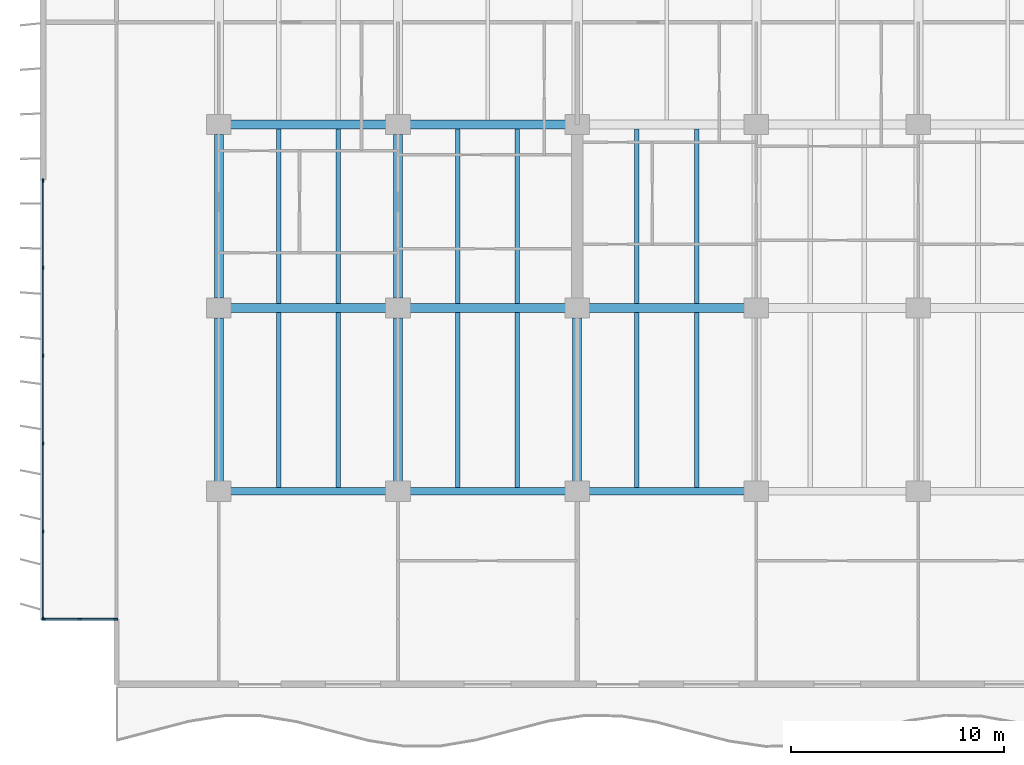
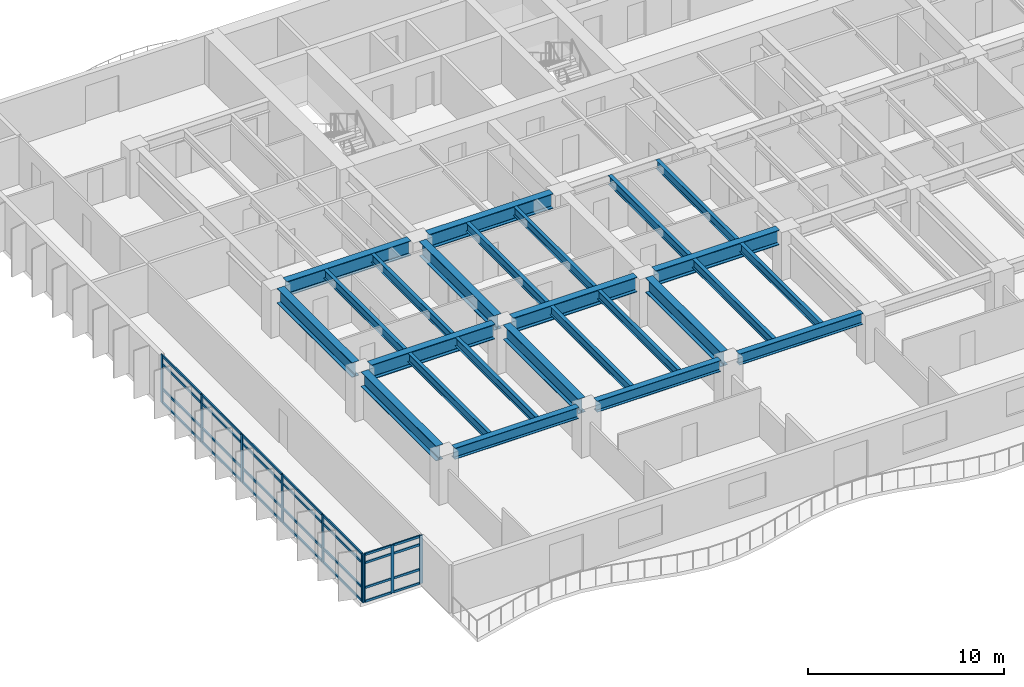
# One storey, part 2 of 15: 37 members, 25 beams, 2 elements without a shape of their own.
"""IFC4 building model written with IfcOpenShell, lengths in metres."""

from ifc_helpers import new_model, si_unit, direction, frame, origin, origin_2d, place, context, subcontext, project, spatial, rectangle, i_section, extrude, material, layer, layer_set, material_profile, profile_set, type_object, element, aggregate, save


model = new_model("IFC4")

# Units and contexts
model_context = context("Model", 3, precision=1e-05, world=origin(), true_north=direction((0.0, 1.0)))
body_context = subcontext(model_context, "Body", "Model", "MODEL_VIEW")
ifc_project = project(units=[si_unit("LENGTHUNIT", "METRE"), si_unit("AREAUNIT", "SQUARE_METRE"), si_unit("VOLUMEUNIT", "CUBIC_METRE"), si_unit("PLANEANGLEUNIT", "RADIAN"), si_unit("MASSUNIT", "GRAM", prefix="KILO")], contexts=[model_context])

# Site, building, storey
site_placement = place(None, origin())
site = spatial("IfcSite", under=ifc_project, at=site_placement, CompositionType="ELEMENT")
building_placement = place(site_placement, origin())
building = spatial("IfcBuilding", under=site, at=building_placement, Name="Caelmar Bay Residences", CompositionType="ELEMENT")
storey_placement = place(building_placement, frame((0.0, 0.0, 76.199951171875)))
storey = spatial("IfcBuildingStorey", under=building, at=storey_placement, Name="L20", CompositionType="ELEMENT", Elevation=76.199951171875)

# Beams
ifc_material_1 = material(Name="Steel ASTM A992 Grade 50", Category="steel")
ifc_material_profile_1 = material_profile(ifc_material_1, i_section(OverallWidth=0.422119140625, OverallDepth=0.925048828125, WebThickness=0.021240234375, FlangeThickness=0.03662109375, FilletRadius=0.020263671875, at=origin_2d()), Name="W36X262")
ifc_profile_set_1 = profile_set([ifc_material_profile_1], Name="Steel ASTM A992 Grade 50")
beam_type_1 = type_object("IfcBeamType", Name="BM-GRD-W36X262", PredefinedType="BEAM", material=ifc_profile_set_1)
beam_1_placement = place(storey_placement, frame((10.43994140625, 20.800048828125, 2.53759765625), z_axis=(1.0, 0.0, 0.0), x_axis=(0.0, 1.0, 0.0)))
element("IfcBeam", 1, at=beam_1_placement, inside=storey, type_object=beam_type_1, Name="L20 East-West Girder Y=20.80 (9.9-18.3)", PredefinedType="BEAM", context=body_context, shape_type="SweptSolid", body=[
    extrude(i_section(OverallWidth=0.422119140625, OverallDepth=0.925048828125, WebThickness=0.021240234375, FlangeThickness=0.03662109375, FilletRadius=0.020263671875, at=origin_2d()), origin(), (0.0, 0.0, 1.0), 7.320068359375),
])
beam_2_placement = place(storey_placement, frame((18.840087890625, 20.800048828125, 2.53759765625), z_axis=(1.0, 0.0, 0.0), x_axis=(0.0, 1.0, 0.0)))
element("IfcBeam", 2, at=beam_2_placement, inside=storey, type_object=beam_type_1, Name="L20 East-West Girder Y=20.80 (18.3-26.7)", PredefinedType="BEAM", context=body_context, shape_type="SweptSolid", body=[
    extrude(i_section(OverallWidth=0.422119140625, OverallDepth=0.925048828125, WebThickness=0.021240234375, FlangeThickness=0.03662109375, FilletRadius=0.020263671875, at=origin_2d()), origin(), (0.0, 0.0, 1.0), 7.31982421875),
])
for number, where, z_axis, x_axis, name in (
    (3, (27.239990234375, 20.800048828125, 2.53759765625), (1.0, 0.0, 0.0), (0.0, 1.0, 0.0), "L20 East-West Girder Y=20.80 (26.7-35.1)"),
    (4, (10.43994140625, 29.39990234375, 2.53759765625), (1.0, 0.0, 0.0), (0.0, 1.0, 0.0), "L20 East-West Girder Y=29.40 (9.9-18.3)"),
):
    element("IfcBeam", number, at=place(storey_placement, frame(where, z_axis=z_axis, x_axis=x_axis)), inside=storey, type_object=beam_type_1, Name=name, PredefinedType="BEAM", context=body_context, shape_type="SweptSolid", body=[
        extrude(i_section(OverallWidth=0.422119140625, OverallDepth=0.925048828125, WebThickness=0.021240234375, FlangeThickness=0.03662109375, FilletRadius=0.020263671875, at=origin_2d()), origin(), (0.0, 0.0, 1.0), 7.320068359375),
    ])
beam_3_placement = place(storey_placement, frame((18.840087890625, 29.39990234375, 2.53759765625), z_axis=(1.0, 0.0, 0.0), x_axis=(0.0, 1.0, 0.0)))
element("IfcBeam", 5, at=beam_3_placement, inside=storey, type_object=beam_type_1, Name="L20 East-West Girder Y=29.40 (18.3-26.7)", PredefinedType="BEAM", context=body_context, shape_type="SweptSolid", body=[
    extrude(i_section(OverallWidth=0.422119140625, OverallDepth=0.925048828125, WebThickness=0.021240234375, FlangeThickness=0.03662109375, FilletRadius=0.020263671875, at=origin_2d()), origin(), (0.0, 0.0, 1.0), 7.31982421875),
])
beam_4_placement = place(storey_placement, frame((9.89990234375, 12.6650390625, 2.53759765625), z_axis=(0.0, 1.0, 0.0), x_axis=(-1.0, 0.0, 0.0)))
element("IfcBeam", 6, at=beam_4_placement, inside=storey, type_object=beam_type_1, Name="L20 North-South Girder X=9.90 (12.2-20.8)", PredefinedType="BEAM", context=body_context, shape_type="SweptSolid", body=[
    extrude(i_section(OverallWidth=0.422119140625, OverallDepth=0.925048828125, WebThickness=0.021240234375, FlangeThickness=0.03662109375, FilletRadius=0.020263671875, at=origin_2d()), origin(), (0.0, 0.0, 1.0), 7.669921875),
])
beam_5_placement = place(storey_placement, frame((9.89990234375, 21.264892578125, 2.53759765625), z_axis=(0.0, 1.0, 0.0), x_axis=(-1.0, 0.0, 0.0)))
element("IfcBeam", 7, at=beam_5_placement, inside=storey, type_object=beam_type_1, Name="L20 North-South Girder X=9.90 (20.8-29.4)", PredefinedType="BEAM", context=body_context, shape_type="SweptSolid", body=[
    extrude(i_section(OverallWidth=0.422119140625, OverallDepth=0.925048828125, WebThickness=0.021240234375, FlangeThickness=0.03662109375, FilletRadius=0.020263671875, at=origin_2d()), origin(), (0.0, 0.0, 1.0), 7.670166015625),
])
beam_6_placement = place(storey_placement, frame((18.300048828125, 12.6650390625, 2.53759765625), z_axis=(0.0, 1.0, 0.0), x_axis=(-1.0, 0.0, 0.0)))
element("IfcBeam", 8, at=beam_6_placement, inside=storey, type_object=beam_type_1, Name="L20 North-South Girder X=18.30 (12.2-20.8)", PredefinedType="BEAM", context=body_context, shape_type="SweptSolid", body=[
    extrude(i_section(OverallWidth=0.422119140625, OverallDepth=0.925048828125, WebThickness=0.021240234375, FlangeThickness=0.03662109375, FilletRadius=0.020263671875, at=origin_2d()), origin(), (0.0, 0.0, 1.0), 7.669921875),
])
beam_7_placement = place(storey_placement, frame((18.300048828125, 21.264892578125, 2.53759765625), z_axis=(0.0, 1.0, 0.0), x_axis=(-1.0, 0.0, 0.0)))
element("IfcBeam", 9, at=beam_7_placement, inside=storey, type_object=beam_type_1, Name="L20 North-South Girder X=18.30 (20.8-29.4)", PredefinedType="BEAM", context=body_context, shape_type="SweptSolid", body=[
    extrude(i_section(OverallWidth=0.422119140625, OverallDepth=0.925048828125, WebThickness=0.021240234375, FlangeThickness=0.03662109375, FilletRadius=0.020263671875, at=origin_2d()), origin(), (0.0, 0.0, 1.0), 7.670166015625),
])
beam_8_placement = place(storey_placement, frame((26.699951171875, 12.6650390625, 2.53759765625), z_axis=(0.0, 1.0, 0.0), x_axis=(-1.0, 0.0, 0.0)))
element("IfcBeam", 10, at=beam_8_placement, inside=storey, type_object=beam_type_1, Name="L20 North-South Girder X=26.70 (12.2-20.8)", PredefinedType="BEAM", context=body_context, shape_type="SweptSolid", body=[
    extrude(i_section(OverallWidth=0.422119140625, OverallDepth=0.925048828125, WebThickness=0.021240234375, FlangeThickness=0.03662109375, FilletRadius=0.020263671875, at=origin_2d()), origin(), (0.0, 0.0, 1.0), 7.669921875),
])
ifc_material_profile_2 = material_profile(ifc_material_1, i_section(OverallWidth=0.2099609375, OverallDepth=0.535888671875, WebThickness=0.010986328125, FlangeThickness=0.017333984375, FilletRadius=0.0126953125, at=origin_2d()), Name="W21X68")
ifc_profile_set_2 = profile_set([ifc_material_profile_2], Name="Steel ASTM A992 Grade 50")
beam_type_2 = type_object("IfcBeamType", Name="BM-JST-W21X68", PredefinedType="JOIST", material=ifc_profile_set_2)
for number, where, z_axis, x_axis, name in (
    (11, (15.5, 12.3779296875, 2.73193359375), (0.0, 1.0, 0.0), (-1.0, 0.0, 0.0), "L20 Composite Floor Joist 2"),
    (12, (23.89990234375, 12.3779296875, 2.73193359375), (0.0, 1.0, 0.0), (-1.0, 0.0, 0.0), "L20 Composite Floor Joist 4"),
    (13, (32.300048828125, 12.3779296875, 2.73193359375), (0.0, 1.0, 0.0), (-1.0, 0.0, 0.0), "L20 Composite Floor Joist 6"),
):
    element("IfcBeam", number, at=place(storey_placement, frame(where, z_axis=z_axis, x_axis=x_axis)), inside=storey, type_object=beam_type_2, Name=name, PredefinedType="JOIST", context=body_context, shape_type="SweptSolid", body=[
        extrude(i_section(OverallWidth=0.2099609375, OverallDepth=0.535888671875, WebThickness=0.010986328125, FlangeThickness=0.017333984375, FilletRadius=0.0126953125, at=origin_2d()), origin(), (0.0, 0.0, 1.0), 8.211181640625),
    ])
for number, where, z_axis, x_axis, name in (
    (14, (15.5, 21.010986328125, 2.73193359375), (0.0, 1.0, 0.0), (-1.0, 0.0, 0.0), "L20 Composite Floor Joist 16"),
    (15, (23.89990234375, 21.010986328125, 2.73193359375), (0.0, 1.0, 0.0), (-1.0, 0.0, 0.0), "L20 Composite Floor Joist 18"),
    (16, (32.300048828125, 21.010986328125, 2.73193359375), (0.0, 1.0, 0.0), (-1.0, 0.0, 0.0), "L20 Composite Floor Joist 20"),
):
    element("IfcBeam", number, at=place(storey_placement, frame(where, z_axis=z_axis, x_axis=x_axis)), inside=storey, type_object=beam_type_2, Name=name, PredefinedType="JOIST", context=body_context, shape_type="SweptSolid", body=[
        extrude(i_section(OverallWidth=0.2099609375, OverallDepth=0.535888671875, WebThickness=0.010986328125, FlangeThickness=0.017333984375, FilletRadius=0.0126953125, at=origin_2d()), origin(), (0.0, 0.0, 1.0), 8.177978515625),
    ])
ifc_material_profile_3 = material_profile(ifc_material_1, i_section(OverallWidth=0.214111328125, OverallDepth=0.549072265625, WebThickness=0.0146484375, FlangeThickness=0.023681640625, FilletRadius=0.0126953125, at=origin_2d()), Name="W21X93")
ifc_profile_set_3 = profile_set([ifc_material_profile_3], Name="Steel ASTM A992 Grade 50")
beam_type_3 = type_object("IfcBeamType", Name="BM-JST-W21X93", PredefinedType="JOIST", material=ifc_profile_set_3)
for number, where, z_axis, x_axis, name in (
    (17, (12.699951171875, 12.3779296875, 2.7255859375), (0.0, 1.0, 0.0), (-1.0, 0.0, 0.0), "L20 Composite Floor Joist 1"),
    (18, (21.10009765625, 12.3779296875, 2.7255859375), (0.0, 1.0, 0.0), (-1.0, 0.0, 0.0), "L20 Composite Floor Joist 3"),
    (19, (29.5, 12.3779296875, 2.7255859375), (0.0, 1.0, 0.0), (-1.0, 0.0, 0.0), "L20 Composite Floor Joist 5"),
):
    element("IfcBeam", number, at=place(storey_placement, frame(where, z_axis=z_axis, x_axis=x_axis)), inside=storey, type_object=beam_type_3, Name=name, PredefinedType="JOIST", context=body_context, shape_type="SweptSolid", body=[
        extrude(i_section(OverallWidth=0.214111328125, OverallDepth=0.549072265625, WebThickness=0.0146484375, FlangeThickness=0.023681640625, FilletRadius=0.0126953125, at=origin_2d()), origin(), (0.0, 0.0, 1.0), 8.211181640625),
    ])
for number, where, z_axis, x_axis, name in (
    (20, (12.699951171875, 21.010986328125, 2.7255859375), (0.0, 1.0, 0.0), (-1.0, 0.0, 0.0), "L20 Composite Floor Joist 15"),
    (21, (21.10009765625, 21.010986328125, 2.7255859375), (0.0, 1.0, 0.0), (-1.0, 0.0, 0.0), "L20 Composite Floor Joist 17"),
    (22, (29.5, 21.010986328125, 2.7255859375), (0.0, 1.0, 0.0), (-1.0, 0.0, 0.0), "L20 Composite Floor Joist 19"),
):
    element("IfcBeam", number, at=place(storey_placement, frame(where, z_axis=z_axis, x_axis=x_axis)), inside=storey, type_object=beam_type_3, Name=name, PredefinedType="JOIST", context=body_context, shape_type="SweptSolid", body=[
        extrude(i_section(OverallWidth=0.214111328125, OverallDepth=0.549072265625, WebThickness=0.0146484375, FlangeThickness=0.023681640625, FilletRadius=0.0126953125, at=origin_2d()), origin(), (0.0, 0.0, 1.0), 8.177978515625),
    ])
ifc_material_profile_4 = material_profile(ifc_material_1, i_section(OverallWidth=0.35595703125, OverallDepth=0.696044921875, WebThickness=0.015380859375, FlangeThickness=0.02490234375, FilletRadius=0.01513671875, at=origin_2d()), Name="W27X146")
ifc_profile_set_4 = profile_set([ifc_material_profile_4], Name="Steel ASTM A992 Grade 50")
beam_type_4 = type_object("IfcBeamType", Name="BM-SPN-W27X146", PredefinedType="SPANDREL", material=ifc_profile_set_4)
beam_9_placement = place(storey_placement, frame((10.43994140625, 12.199951171875, 2.652099609375), z_axis=(1.0, 0.0, 0.0), x_axis=(0.0, 1.0, 0.0)))
element("IfcBeam", 23, at=beam_9_placement, inside=storey, type_object=beam_type_4, Name="L20 East-West Girder Y=12.20 (9.9-18.3)", PredefinedType="SPANDREL", context=body_context, shape_type="SweptSolid", body=[
    extrude(i_section(OverallWidth=0.35595703125, OverallDepth=0.696044921875, WebThickness=0.015380859375, FlangeThickness=0.02490234375, FilletRadius=0.01513671875, at=origin_2d()), origin(), (0.0, 0.0, 1.0), 7.320068359375),
])
beam_10_placement = place(storey_placement, frame((18.840087890625, 12.199951171875, 2.652099609375), z_axis=(1.0, 0.0, 0.0), x_axis=(0.0, 1.0, 0.0)))
element("IfcBeam", 24, at=beam_10_placement, inside=storey, type_object=beam_type_4, Name="L20 East-West Girder Y=12.20 (18.3-26.7)", PredefinedType="SPANDREL", context=body_context, shape_type="SweptSolid", body=[
    extrude(i_section(OverallWidth=0.35595703125, OverallDepth=0.696044921875, WebThickness=0.015380859375, FlangeThickness=0.02490234375, FilletRadius=0.01513671875, at=origin_2d()), origin(), (0.0, 0.0, 1.0), 7.31982421875),
])
beam_11_placement = place(storey_placement, frame((27.239990234375, 12.199951171875, 2.652099609375), z_axis=(1.0, 0.0, 0.0), x_axis=(0.0, 1.0, 0.0)))
element("IfcBeam", 25, at=beam_11_placement, inside=storey, type_object=beam_type_4, Name="L20 East-West Girder Y=12.20 (26.7-35.1)", PredefinedType="SPANDREL", context=body_context, shape_type="SweptSolid", body=[
    extrude(i_section(OverallWidth=0.35595703125, OverallDepth=0.696044921875, WebThickness=0.015380859375, FlangeThickness=0.02490234375, FilletRadius=0.01513671875, at=origin_2d()), origin(), (0.0, 0.0, 1.0), 7.320068359375),
])

# Curtain wall, members
ifc_material_2 = material(Name="Anodised bronze aluminium 6063-T6 and laminated glass", Category="aluminium")
ifc_layer_1 = layer(ifc_material_2, 0.179931640625)
ifc_layer_set_1 = layer_set([ifc_layer_1], Name="Anodised bronze aluminium 6063-T6 and laminated glass")
curtain_wall_type_1 = type_object("IfcCurtainWallType", Name="CW6-NTC", PredefinedType="NOTDEFINED", material=ifc_layer_set_1)
curtain_wall_1_placement = place(storey_placement, origin())
curtain_wall_1 = element("IfcCurtainWall", 26, at=curtain_wall_1_placement, inside=storey, type_object=curtain_wall_type_1, Name="CW6 curtain wall L20", PredefinedType="NOTDEFINED")
ifc_material_3 = material(Name="Anodised bronze aluminium 6063-T6", Category="aluminium")
ifc_material_profile_5 = material_profile(ifc_material_3, rectangle(XDim=0.080078125, YDim=0.179931640625, at=origin_2d()), Name="CWM-80X180")
ifc_profile_set_5 = profile_set([ifc_material_profile_5], Name="Anodised bronze aluminium 6063-T6")
member_type_1 = type_object("IfcMemberType", Name="CWM-180", PredefinedType="MULLION", material=ifc_profile_set_5)
member_1_placement = place(storey_placement, frame((1.68994140625, 6.199951171875, 0.0), z_axis=(0.0, 0.0, 1.0), x_axis=(0.0, 1.0, 0.0)))
member_1 = element("IfcMember", 27, at=member_1_placement, type_object=member_type_1, Name="CW6 mullion 1", PredefinedType="MULLION", context=body_context, shape_type="SweptSolid", body=[
    extrude(rectangle(XDim=0.080078125, YDim=0.179931640625, at=origin_2d()), origin(), (0.0, 0.0, 1.0), 3.0),
])
member_2_placement = place(storey_placement, frame((3.375, 6.199951171875, 0.0), z_axis=(0.0, 0.0, 1.0), x_axis=(0.0, 1.0, 0.0)))
member_2 = element("IfcMember", 28, at=member_2_placement, type_object=member_type_1, Name="CW6 mullion 2", PredefinedType="MULLION", context=body_context, shape_type="SweptSolid", body=[
    extrude(rectangle(XDim=0.080078125, YDim=0.179931640625, at=origin_2d()), origin(), (0.0, 0.0, 1.0), 3.0),
])
member_3_placement = place(storey_placement, frame((5.06005859375, 6.199951171875, 0.0), z_axis=(0.0, 0.0, 1.0), x_axis=(0.0, 1.0, 0.0)))
member_3 = element("IfcMember", 29, at=member_3_placement, type_object=member_type_1, Name="CW6 mullion 3", PredefinedType="MULLION", context=body_context, shape_type="SweptSolid", body=[
    extrude(rectangle(XDim=0.080078125, YDim=0.179931640625, at=origin_2d()), origin(), (0.0, 0.0, 1.0), 3.0),
])

ifc_layer_2 = layer(ifc_material_2, 0.179931640625)
ifc_layer_set_2 = layer_set([ifc_layer_2], Name="Anodised bronze aluminium 6063-T6 and laminated glass")
curtain_wall_type_2 = type_object("IfcCurtainWallType", Name="CW2-Z1", PredefinedType="NOTDEFINED", material=ifc_layer_set_2)
curtain_wall_2_placement = place(storey_placement, origin())
curtain_wall_2 = element("IfcCurtainWall", 30, at=curtain_wall_2_placement, inside=storey, type_object=curtain_wall_type_2, Name="CW2 curtain wall L20", PredefinedType="NOTDEFINED")
member_4_placement = place(storey_placement, frame((1.64990234375, 6.239990234375, 0.0), z_axis=(0.0, 0.0, 1.0), x_axis=(-1.0, 0.0, 0.0)))
member_4 = element("IfcMember", 31, at=member_4_placement, type_object=member_type_1, Name="CW2 mullion 1", PredefinedType="MULLION", context=body_context, shape_type="SweptSolid", body=[
    extrude(rectangle(XDim=0.080078125, YDim=0.179931640625, at=origin_2d()), origin(), (0.0, 0.0, 1.0), 3.0),
])
member_5_placement = place(storey_placement, frame((1.64990234375, 10.320068359375, 0.0), z_axis=(0.0, 0.0, 1.0), x_axis=(-1.0, 0.0, 0.0)))
member_5 = element("IfcMember", 32, at=member_5_placement, type_object=member_type_1, Name="CW2 mullion 2", PredefinedType="MULLION", context=body_context, shape_type="SweptSolid", body=[
    extrude(rectangle(XDim=0.080078125, YDim=0.179931640625, at=origin_2d()), origin(), (0.0, 0.0, 1.0), 3.0),
])
member_6_placement = place(storey_placement, frame((1.64990234375, 14.43994140625, 0.0), z_axis=(0.0, 0.0, 1.0), x_axis=(-1.0, 0.0, 0.0)))
member_6 = element("IfcMember", 33, at=member_6_placement, type_object=member_type_1, Name="CW2 mullion 3", PredefinedType="MULLION", context=body_context, shape_type="SweptSolid", body=[
    extrude(rectangle(XDim=0.080078125, YDim=0.179931640625, at=origin_2d()), origin(), (0.0, 0.0, 1.0), 3.0),
])
member_7_placement = place(storey_placement, frame((1.64990234375, 18.56005859375, 0.0), z_axis=(0.0, 0.0, 1.0), x_axis=(-1.0, 0.0, 0.0)))
member_7 = element("IfcMember", 34, at=member_7_placement, type_object=member_type_1, Name="CW2 mullion 4", PredefinedType="MULLION", context=body_context, shape_type="SweptSolid", body=[
    extrude(rectangle(XDim=0.080078125, YDim=0.179931640625, at=origin_2d()), origin(), (0.0, 0.0, 1.0), 3.0),
])
member_8_placement = place(storey_placement, frame((1.64990234375, 22.679931640625, 0.0), z_axis=(0.0, 0.0, 1.0), x_axis=(-1.0, 0.0, 0.0)))
member_8 = element("IfcMember", 35, at=member_8_placement, type_object=member_type_1, Name="CW2 mullion 5", PredefinedType="MULLION", context=body_context, shape_type="SweptSolid", body=[
    extrude(rectangle(XDim=0.080078125, YDim=0.179931640625, at=origin_2d()), origin(), (0.0, 0.0, 1.0), 3.0),
])
member_9_placement = place(storey_placement, frame((1.64990234375, 26.760009765625, 0.0), z_axis=(0.0, 0.0, 1.0), x_axis=(-1.0, 0.0, 0.0)))
member_9 = element("IfcMember", 36, at=member_9_placement, type_object=member_type_1, Name="CW2 mullion 6", PredefinedType="MULLION", context=body_context, shape_type="SweptSolid", body=[
    extrude(rectangle(XDim=0.080078125, YDim=0.179931640625, at=origin_2d()), origin(), (0.0, 0.0, 1.0), 3.0),
])

# Member
ifc_material_profile_6 = material_profile(ifc_material_3, rectangle(XDim=0.080078125, YDim=0.139892578125, at=origin_2d()), Name="CWT-80X140")
ifc_profile_set_6 = profile_set([ifc_material_profile_6], Name="Anodised bronze aluminium 6063-T6")
member_type_2 = type_object("IfcMemberType", Name="CWT-140", PredefinedType="NOTDEFINED", material=ifc_profile_set_6)
member_10_placement = place(storey_placement, frame((1.72998046875, 6.199951171875, 0.0400390625), z_axis=(1.0, 0.0, 0.0), x_axis=(0.0, 1.0, 0.0)))
member_10 = element("IfcMember", 37, at=member_10_placement, type_object=member_type_2, Name="CW6 transom 1.1", ObjectType="TRANSOM", PredefinedType="USERDEFINED", context=body_context, shape_type="SweptSolid", body=[
    extrude(rectangle(XDim=0.080078125, YDim=0.139892578125, at=origin_2d()), origin(), (0.0, 0.0, 1.0), 1.60498046875),
])

member_11_placement = place(storey_placement, frame((1.72998046875, 6.199951171875, 0.900146484375), z_axis=(1.0, 0.0, 0.0), x_axis=(0.0, 1.0, 0.0)))
member_11 = element("IfcMember", 38, at=member_11_placement, type_object=member_type_2, Name="CW6 transom 1.2", ObjectType="TRANSOM", PredefinedType="USERDEFINED", context=body_context, shape_type="SweptSolid", body=[
    extrude(rectangle(XDim=0.080078125, YDim=0.139892578125, at=origin_2d()), origin(), (0.0, 0.0, 1.0), 1.60498046875),
])

member_12_placement = place(storey_placement, frame((1.72998046875, 6.199951171875, 2.449951171875), z_axis=(1.0, 0.0, 0.0), x_axis=(0.0, 1.0, 0.0)))
member_12 = element("IfcMember", 39, at=member_12_placement, type_object=member_type_2, Name="CW6 transom 1.3", ObjectType="TRANSOM", PredefinedType="USERDEFINED", context=body_context, shape_type="SweptSolid", body=[
    extrude(rectangle(XDim=0.080078125, YDim=0.139892578125, at=origin_2d()), origin(), (0.0, 0.0, 1.0), 1.60498046875),
])

member_13_placement = place(storey_placement, frame((1.72998046875, 6.199951171875, 2.9599609375), z_axis=(1.0, 0.0, 0.0), x_axis=(0.0, 1.0, 0.0)))
member_13 = element("IfcMember", 40, at=member_13_placement, type_object=member_type_2, Name="CW6 transom 1.4", ObjectType="TRANSOM", PredefinedType="USERDEFINED", context=body_context, shape_type="SweptSolid", body=[
    extrude(rectangle(XDim=0.080078125, YDim=0.139892578125, at=origin_2d()), origin(), (0.0, 0.0, 1.0), 1.60498046875),
])

member_14_placement = place(storey_placement, frame((3.4150390625, 6.199951171875, 0.0400390625), z_axis=(1.0, 0.0, 0.0), x_axis=(0.0, 1.0, 0.0)))
member_14 = element("IfcMember", 41, at=member_14_placement, type_object=member_type_2, Name="CW6 transom 2.1", ObjectType="TRANSOM", PredefinedType="USERDEFINED", context=body_context, shape_type="SweptSolid", body=[
    extrude(rectangle(XDim=0.080078125, YDim=0.139892578125, at=origin_2d()), origin(), (0.0, 0.0, 1.0), 1.60498046875),
])

member_15_placement = place(storey_placement, frame((3.4150390625, 6.199951171875, 0.900146484375), z_axis=(1.0, 0.0, 0.0), x_axis=(0.0, 1.0, 0.0)))
member_15 = element("IfcMember", 42, at=member_15_placement, type_object=member_type_2, Name="CW6 transom 2.2", ObjectType="TRANSOM", PredefinedType="USERDEFINED", context=body_context, shape_type="SweptSolid", body=[
    extrude(rectangle(XDim=0.080078125, YDim=0.139892578125, at=origin_2d()), origin(), (0.0, 0.0, 1.0), 1.60498046875),
])

member_16_placement = place(storey_placement, frame((3.4150390625, 6.199951171875, 2.449951171875), z_axis=(1.0, 0.0, 0.0), x_axis=(0.0, 1.0, 0.0)))
member_16 = element("IfcMember", 43, at=member_16_placement, type_object=member_type_2, Name="CW6 transom 2.3", ObjectType="TRANSOM", PredefinedType="USERDEFINED", context=body_context, shape_type="SweptSolid", body=[
    extrude(rectangle(XDim=0.080078125, YDim=0.139892578125, at=origin_2d()), origin(), (0.0, 0.0, 1.0), 1.60498046875),
])

member_17_placement = place(storey_placement, frame((3.4150390625, 6.199951171875, 2.9599609375), z_axis=(1.0, 0.0, 0.0), x_axis=(0.0, 1.0, 0.0)))
member_17 = element("IfcMember", 44, at=member_17_placement, type_object=member_type_2, Name="CW6 transom 2.4", ObjectType="TRANSOM", PredefinedType="USERDEFINED", context=body_context, shape_type="SweptSolid", body=[
    extrude(rectangle(XDim=0.080078125, YDim=0.139892578125, at=origin_2d()), origin(), (0.0, 0.0, 1.0), 1.60498046875),
])

aggregate(curtain_wall_1, [member_1, member_2, member_3, member_10, member_11, member_12, member_13, member_14, member_15, member_16, member_17])

member_18_placement = place(storey_placement, frame((1.64990234375, 6.280029296875, 0.0400390625), z_axis=(0.0, 1.0, 0.0), x_axis=(-1.0, 0.0, 0.0)))
member_18 = element("IfcMember", 45, at=member_18_placement, type_object=member_type_2, Name="CW2 transom 1.1", ObjectType="TRANSOM", PredefinedType="USERDEFINED", context=body_context, shape_type="SweptSolid", body=[
    extrude(rectangle(XDim=0.080078125, YDim=0.139892578125, at=origin_2d()), origin(), (0.0, 0.0, 1.0), 4.0),
])

member_19_placement = place(storey_placement, frame((1.64990234375, 6.280029296875, 0.900146484375), z_axis=(0.0, 1.0, 0.0), x_axis=(-1.0, 0.0, 0.0)))
member_19 = element("IfcMember", 46, at=member_19_placement, type_object=member_type_2, Name="CW2 transom 1.2", ObjectType="TRANSOM", PredefinedType="USERDEFINED", context=body_context, shape_type="SweptSolid", body=[
    extrude(rectangle(XDim=0.080078125, YDim=0.139892578125, at=origin_2d()), origin(), (0.0, 0.0, 1.0), 4.0),
])

member_20_placement = place(storey_placement, frame((1.64990234375, 6.280029296875, 2.449951171875), z_axis=(0.0, 1.0, 0.0), x_axis=(-1.0, 0.0, 0.0)))
member_20 = element("IfcMember", 47, at=member_20_placement, type_object=member_type_2, Name="CW2 transom 1.3", ObjectType="TRANSOM", PredefinedType="USERDEFINED", context=body_context, shape_type="SweptSolid", body=[
    extrude(rectangle(XDim=0.080078125, YDim=0.139892578125, at=origin_2d()), origin(), (0.0, 0.0, 1.0), 4.0),
])

member_21_placement = place(storey_placement, frame((1.64990234375, 6.280029296875, 2.9599609375), z_axis=(0.0, 1.0, 0.0), x_axis=(-1.0, 0.0, 0.0)))
member_21 = element("IfcMember", 48, at=member_21_placement, type_object=member_type_2, Name="CW2 transom 1.4", ObjectType="TRANSOM", PredefinedType="USERDEFINED", context=body_context, shape_type="SweptSolid", body=[
    extrude(rectangle(XDim=0.080078125, YDim=0.139892578125, at=origin_2d()), origin(), (0.0, 0.0, 1.0), 4.0),
])

member_22_placement = place(storey_placement, frame((1.64990234375, 10.360107421875, 0.0400390625), z_axis=(0.0, 1.0, 0.0), x_axis=(-1.0, 0.0, 0.0)))
member_22 = element("IfcMember", 49, at=member_22_placement, type_object=member_type_2, Name="CW2 transom 2.1", ObjectType="TRANSOM", PredefinedType="USERDEFINED", context=body_context, shape_type="SweptSolid", body=[
    extrude(rectangle(XDim=0.080078125, YDim=0.139892578125, at=origin_2d()), origin(), (0.0, 0.0, 1.0), 4.039794921875),
])

member_23_placement = place(storey_placement, frame((1.64990234375, 10.360107421875, 0.900146484375), z_axis=(0.0, 1.0, 0.0), x_axis=(-1.0, 0.0, 0.0)))
member_23 = element("IfcMember", 50, at=member_23_placement, type_object=member_type_2, Name="CW2 transom 2.2", ObjectType="TRANSOM", PredefinedType="USERDEFINED", context=body_context, shape_type="SweptSolid", body=[
    extrude(rectangle(XDim=0.080078125, YDim=0.139892578125, at=origin_2d()), origin(), (0.0, 0.0, 1.0), 4.039794921875),
])

member_24_placement = place(storey_placement, frame((1.64990234375, 10.360107421875, 2.449951171875), z_axis=(0.0, 1.0, 0.0), x_axis=(-1.0, 0.0, 0.0)))
member_24 = element("IfcMember", 51, at=member_24_placement, type_object=member_type_2, Name="CW2 transom 2.3", ObjectType="TRANSOM", PredefinedType="USERDEFINED", context=body_context, shape_type="SweptSolid", body=[
    extrude(rectangle(XDim=0.080078125, YDim=0.139892578125, at=origin_2d()), origin(), (0.0, 0.0, 1.0), 4.039794921875),
])

member_25_placement = place(storey_placement, frame((1.64990234375, 10.360107421875, 2.9599609375), z_axis=(0.0, 1.0, 0.0), x_axis=(-1.0, 0.0, 0.0)))
member_25 = element("IfcMember", 52, at=member_25_placement, type_object=member_type_2, Name="CW2 transom 2.4", ObjectType="TRANSOM", PredefinedType="USERDEFINED", context=body_context, shape_type="SweptSolid", body=[
    extrude(rectangle(XDim=0.080078125, YDim=0.139892578125, at=origin_2d()), origin(), (0.0, 0.0, 1.0), 4.039794921875),
])

member_26_placement = place(storey_placement, frame((1.64990234375, 14.47998046875, 0.0400390625), z_axis=(0.0, 1.0, 0.0), x_axis=(-1.0, 0.0, 0.0)))
member_26 = element("IfcMember", 53, at=member_26_placement, type_object=member_type_2, Name="CW2 transom 3.1", ObjectType="TRANSOM", PredefinedType="USERDEFINED", context=body_context, shape_type="SweptSolid", body=[
    extrude(rectangle(XDim=0.080078125, YDim=0.139892578125, at=origin_2d()), origin(), (0.0, 0.0, 1.0), 4.0400390625),
])

member_27_placement = place(storey_placement, frame((1.64990234375, 14.47998046875, 0.900146484375), z_axis=(0.0, 1.0, 0.0), x_axis=(-1.0, 0.0, 0.0)))
member_27 = element("IfcMember", 54, at=member_27_placement, type_object=member_type_2, Name="CW2 transom 3.2", ObjectType="TRANSOM", PredefinedType="USERDEFINED", context=body_context, shape_type="SweptSolid", body=[
    extrude(rectangle(XDim=0.080078125, YDim=0.139892578125, at=origin_2d()), origin(), (0.0, 0.0, 1.0), 4.0400390625),
])

member_28_placement = place(storey_placement, frame((1.64990234375, 14.47998046875, 2.449951171875), z_axis=(0.0, 1.0, 0.0), x_axis=(-1.0, 0.0, 0.0)))
member_28 = element("IfcMember", 55, at=member_28_placement, type_object=member_type_2, Name="CW2 transom 3.3", ObjectType="TRANSOM", PredefinedType="USERDEFINED", context=body_context, shape_type="SweptSolid", body=[
    extrude(rectangle(XDim=0.080078125, YDim=0.139892578125, at=origin_2d()), origin(), (0.0, 0.0, 1.0), 4.0400390625),
])

member_29_placement = place(storey_placement, frame((1.64990234375, 14.47998046875, 2.9599609375), z_axis=(0.0, 1.0, 0.0), x_axis=(-1.0, 0.0, 0.0)))
member_29 = element("IfcMember", 56, at=member_29_placement, type_object=member_type_2, Name="CW2 transom 3.4", ObjectType="TRANSOM", PredefinedType="USERDEFINED", context=body_context, shape_type="SweptSolid", body=[
    extrude(rectangle(XDim=0.080078125, YDim=0.139892578125, at=origin_2d()), origin(), (0.0, 0.0, 1.0), 4.0400390625),
])

member_30_placement = place(storey_placement, frame((1.64990234375, 18.60009765625, 0.0400390625), z_axis=(0.0, 1.0, 0.0), x_axis=(-1.0, 0.0, 0.0)))
member_30 = element("IfcMember", 57, at=member_30_placement, type_object=member_type_2, Name="CW2 transom 4.1", ObjectType="TRANSOM", PredefinedType="USERDEFINED", context=body_context, shape_type="SweptSolid", body=[
    extrude(rectangle(XDim=0.080078125, YDim=0.139892578125, at=origin_2d()), origin(), (0.0, 0.0, 1.0), 4.039794921875),
])

member_31_placement = place(storey_placement, frame((1.64990234375, 18.60009765625, 0.900146484375), z_axis=(0.0, 1.0, 0.0), x_axis=(-1.0, 0.0, 0.0)))
member_31 = element("IfcMember", 58, at=member_31_placement, type_object=member_type_2, Name="CW2 transom 4.2", ObjectType="TRANSOM", PredefinedType="USERDEFINED", context=body_context, shape_type="SweptSolid", body=[
    extrude(rectangle(XDim=0.080078125, YDim=0.139892578125, at=origin_2d()), origin(), (0.0, 0.0, 1.0), 4.039794921875),
])

member_32_placement = place(storey_placement, frame((1.64990234375, 18.60009765625, 2.449951171875), z_axis=(0.0, 1.0, 0.0), x_axis=(-1.0, 0.0, 0.0)))
member_32 = element("IfcMember", 59, at=member_32_placement, type_object=member_type_2, Name="CW2 transom 4.3", ObjectType="TRANSOM", PredefinedType="USERDEFINED", context=body_context, shape_type="SweptSolid", body=[
    extrude(rectangle(XDim=0.080078125, YDim=0.139892578125, at=origin_2d()), origin(), (0.0, 0.0, 1.0), 4.039794921875),
])

member_33_placement = place(storey_placement, frame((1.64990234375, 18.60009765625, 2.9599609375), z_axis=(0.0, 1.0, 0.0), x_axis=(-1.0, 0.0, 0.0)))
member_33 = element("IfcMember", 60, at=member_33_placement, type_object=member_type_2, Name="CW2 transom 4.4", ObjectType="TRANSOM", PredefinedType="USERDEFINED", context=body_context, shape_type="SweptSolid", body=[
    extrude(rectangle(XDim=0.080078125, YDim=0.139892578125, at=origin_2d()), origin(), (0.0, 0.0, 1.0), 4.039794921875),
])

member_34_placement = place(storey_placement, frame((1.64990234375, 22.719970703125, 0.0400390625), z_axis=(0.0, 1.0, 0.0), x_axis=(-1.0, 0.0, 0.0)))
member_34 = element("IfcMember", 61, at=member_34_placement, type_object=member_type_2, Name="CW2 transom 5.1", ObjectType="TRANSOM", PredefinedType="USERDEFINED", context=body_context, shape_type="SweptSolid", body=[
    extrude(rectangle(XDim=0.080078125, YDim=0.139892578125, at=origin_2d()), origin(), (0.0, 0.0, 1.0), 4.0),
])

member_35_placement = place(storey_placement, frame((1.64990234375, 22.719970703125, 0.900146484375), z_axis=(0.0, 1.0, 0.0), x_axis=(-1.0, 0.0, 0.0)))
member_35 = element("IfcMember", 62, at=member_35_placement, type_object=member_type_2, Name="CW2 transom 5.2", ObjectType="TRANSOM", PredefinedType="USERDEFINED", context=body_context, shape_type="SweptSolid", body=[
    extrude(rectangle(XDim=0.080078125, YDim=0.139892578125, at=origin_2d()), origin(), (0.0, 0.0, 1.0), 4.0),
])

member_36_placement = place(storey_placement, frame((1.64990234375, 22.719970703125, 2.449951171875), z_axis=(0.0, 1.0, 0.0), x_axis=(-1.0, 0.0, 0.0)))
member_36 = element("IfcMember", 63, at=member_36_placement, type_object=member_type_2, Name="CW2 transom 5.3", ObjectType="TRANSOM", PredefinedType="USERDEFINED", context=body_context, shape_type="SweptSolid", body=[
    extrude(rectangle(XDim=0.080078125, YDim=0.139892578125, at=origin_2d()), origin(), (0.0, 0.0, 1.0), 4.0),
])

member_37_placement = place(storey_placement, frame((1.64990234375, 22.719970703125, 2.9599609375), z_axis=(0.0, 1.0, 0.0), x_axis=(-1.0, 0.0, 0.0)))
member_37 = element("IfcMember", 64, at=member_37_placement, type_object=member_type_2, Name="CW2 transom 5.4", ObjectType="TRANSOM", PredefinedType="USERDEFINED", context=body_context, shape_type="SweptSolid", body=[
    extrude(rectangle(XDim=0.080078125, YDim=0.139892578125, at=origin_2d()), origin(), (0.0, 0.0, 1.0), 4.0),
])

aggregate(curtain_wall_2, [member_4, member_5, member_6, member_7, member_8, member_9, member_18, member_19, member_20, member_21, member_22, member_23, member_24, member_25, member_26, member_27, member_28, member_29, member_30, member_31, member_32, member_33, member_34, member_35, member_36, member_37])

save(model, "model.ifc")
